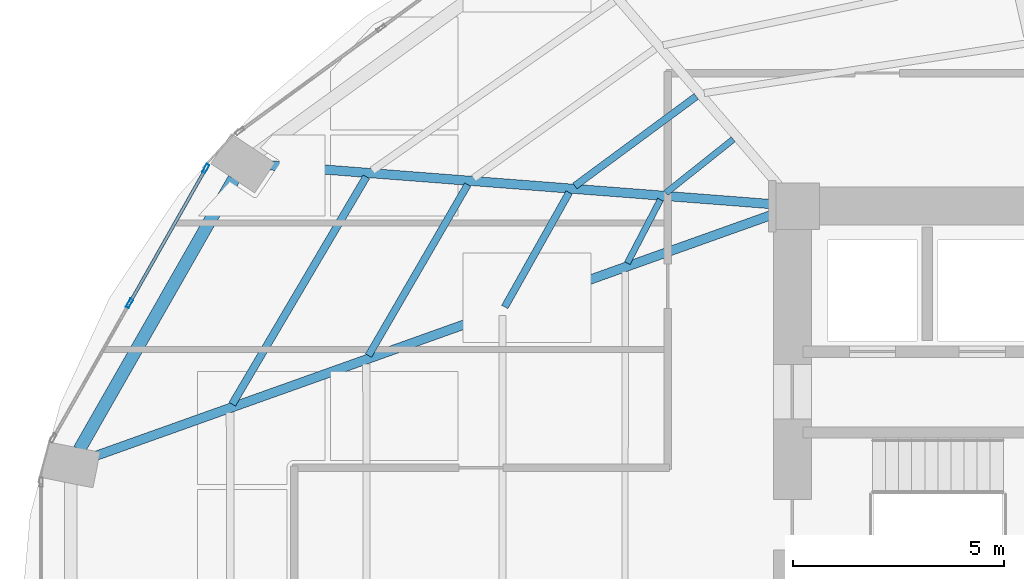
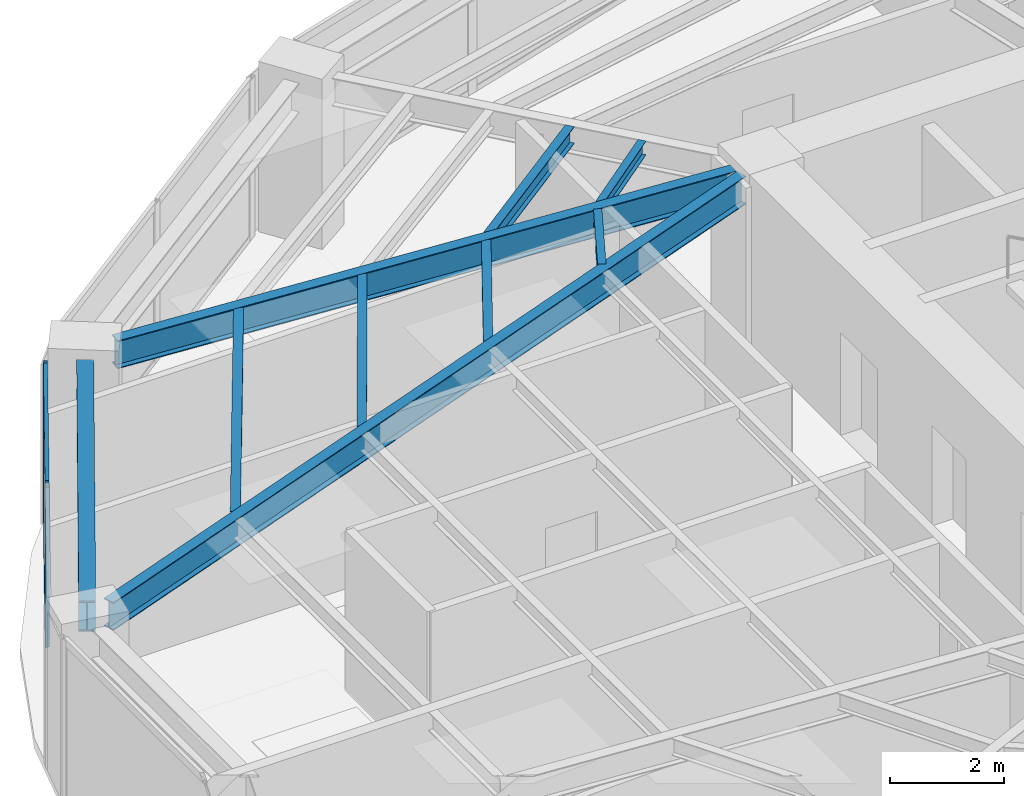
# One storey, part 9 of 25: 9 beams, 4 members, 1 element without a shape of its own.
"""IFC4 building model written with IfcOpenShell, lengths in metres."""

import ifcopenshell
import ifcopenshell.guid

model = None  # the IFC model being written
_history = None  # IfcOwnerHistory: only IFC2X3 demands one
_inside = {}  # id of a spatial element -> (the spatial element, [elements in it])
_under = {}  # id of a project, library or spatial element -> (it, [spatial elements below it])
_declared = {}  # id of a project -> (the project, [libraries it declares])
_typed = {}  # id of a type object -> (the type object, [elements of that type])
_made_of = {}  # id of a material, layer set ... -> (it, [elements and type objects made of it])


def new_model(schema):
    """Start an empty IFC model of exactly this schema.

    Asked for "IFC4X3", IfcOpenShell would pick the latest addendum, in which some entities
    have other attributes; the version numbers below select the first issue.
    IFC2X3 requires an IfcOwnerHistory on every rooted entity: one is made here for all.
    """
    global model, _history
    if schema == "IFC4X3":
        model = ifcopenshell.file(schema_version=(4, 3, 0, 0))
    else:
        model = ifcopenshell.file(schema=schema)
    _inside.clear()
    _under.clear()
    _declared.clear()
    _typed.clear()
    _made_of.clear()
    _history = None
    if model.schema == "IFC2X3":
        org = make("IfcOrganization", Name="unknown")
        user = make(
            "IfcPersonAndOrganization",
            ThePerson=make("IfcPerson", FamilyName="unknown"),
            TheOrganization=org,
        )
        app = make(
            "IfcApplication",
            ApplicationDeveloper=org,
            Version="unknown",
            ApplicationFullName="unknown",
            ApplicationIdentifier="unknown",
        )
        _history = make(
            "IfcOwnerHistory",
            OwningUser=user,
            OwningApplication=app,
            ChangeAction="ADDED",
            CreationDate=0,
        )
    return model


def make(cls, **values):
    """One entity of the class cls with the attributes given. An attribute that is None is left unset."""
    return model.create_entity(
        cls, **{name: value for name, value in values.items() if value is not None}
    )


def rooted(cls, **values):
    """An entity with a GlobalId (a new one), such as an element, a storey or a relation."""
    return make(cls, GlobalId=ifcopenshell.guid.new(), OwnerHistory=_history, **values)


def si_unit(unit_type, name, prefix=None):
    """IfcSIUnit, for example si_unit("LENGTHUNIT", "METRE", prefix="MILLI")."""
    return make("IfcSIUnit", UnitType=unit_type, Prefix=prefix, Name=name)


def assignment(units):
    """IfcUnitAssignment: the units of a project."""
    return None if units is None else make("IfcUnitAssignment", Units=units)


def point(xyz):
    """IfcCartesianPoint."""
    return None if xyz is None else make("IfcCartesianPoint", Coordinates=xyz)


def direction(xyz):
    """IfcDirection."""
    return None if xyz is None else make("IfcDirection", DirectionRatios=xyz)


def frame(location, z_axis=None, x_axis=None):
    """IfcAxis2Placement3D, a coordinate frame: its origin and axes. An axis left out is left unset."""
    return make(
        "IfcAxis2Placement3D",
        Location=point(location),
        Axis=direction(z_axis),
        RefDirection=direction(x_axis),
    )


def frame_2d(location, x_axis=None):
    """IfcAxis2Placement2D, a coordinate frame in the plane: its origin and x axis."""
    return make(
        "IfcAxis2Placement2D", Location=point(location), RefDirection=direction(x_axis)
    )


def origin():
    """The frame at (0, 0, 0) with its axes left unset."""
    return frame((0.0, 0.0, 0.0))


def origin_2d():
    """The frame at (0, 0) in the plane with its x axis left unset."""
    return frame_2d((0.0, 0.0))


def place(relative_to, where):
    """IfcLocalPlacement: puts the frame where relative to a parent placement (None: the world)."""
    return make(
        "IfcLocalPlacement", PlacementRelTo=relative_to, RelativePlacement=where
    )


def context(
    kind, dimensions, precision=None, world=None, true_north=None, identifier=None
):
    """IfcGeometricRepresentationContext, for example the 3D "Model" context."""
    return make(
        "IfcGeometricRepresentationContext",
        ContextIdentifier=identifier,
        ContextType=kind,
        CoordinateSpaceDimension=dimensions,
        Precision=precision,
        WorldCoordinateSystem=world,
        TrueNorth=true_north,
    )


def subcontext(parent, identifier, kind, view, scale=None):
    """IfcGeometricRepresentationSubContext, for example "Body" below "Model"."""
    return make(
        "IfcGeometricRepresentationSubContext",
        ContextIdentifier=identifier,
        ContextType=kind,
        ParentContext=parent,
        TargetScale=scale,
        TargetView=view,
    )


def project(units=None, contexts=None):
    """IfcProject with its units and contexts."""
    return rooted(
        "IfcProject",
        Name="project",
        RepresentationContexts=contexts,
        UnitsInContext=assignment(units),
    )


def spatial(cls, under=None, at=None, **own):
    """A site, building, storey or space (cls), placed at a placement, below another one or the project."""
    s = rooted(cls, ObjectPlacement=at, **own)
    if under is not None:
        _under.setdefault(under.id(), (under, []))[1].append(s)
    return s


def profile(cls, at=None, kind="AREA", **sizes):
    """A parametric profile (cls). Its sizes go by their IFC names, for example OverallWidth=200.0."""
    return make(cls, ProfileType=kind, Position=at, **sizes)


def hollow_rectangle(**sizes):
    """IfcRectangleHollowProfileDef."""
    return profile("IfcRectangleHollowProfileDef", **sizes)


def i_section(**sizes):
    """IfcIShapeProfileDef."""
    return profile("IfcIShapeProfileDef", **sizes)


def extrude(swept, where, along, depth):
    """IfcExtrudedAreaSolid: the profile swept, set in the frame where, extruded along a direction by depth."""
    return make(
        "IfcExtrudedAreaSolid",
        SweptArea=swept,
        Position=where,
        ExtrudedDirection=direction(along),
        Depth=depth,
    )


def shape(context_of_items, identifier, shape_type, items):
    """IfcShapeRepresentation: the items that make up one representation, for example the "Body"."""
    return make(
        "IfcShapeRepresentation",
        ContextOfItems=context_of_items,
        RepresentationIdentifier=identifier,
        RepresentationType=shape_type,
        Items=items,
    )


def material(Name=None, Category=None):
    """IfcMaterial."""
    return make("IfcMaterial", Name=Name, Category=Category)


def layer(
    of_material, thickness, ventilated=None, Name=None, Category=None, Priority=None
):
    """IfcMaterialLayer: one layer of a wall or slab, of a material (None: an air gap)."""
    return make(
        "IfcMaterialLayer",
        Material=of_material,
        LayerThickness=thickness,
        IsVentilated=ventilated,
        Name=Name,
        Category=Category,
        Priority=Priority,
    )


def layer_set(layers, Name=None):
    """IfcMaterialLayerSet."""
    return make("IfcMaterialLayerSet", MaterialLayers=layers, LayerSetName=Name)


def material_profile(
    of_material, cross_section, Name=None, Category=None, Priority=None
):
    """IfcMaterialProfile: a cross section and its material."""
    return make(
        "IfcMaterialProfile",
        Name=Name,
        Material=of_material,
        Profile=cross_section,
        Priority=Priority,
        Category=Category,
    )


def profile_set(profiles, Name=None, composite=None):
    """IfcMaterialProfileSet."""
    return make(
        "IfcMaterialProfileSet",
        Name=Name,
        MaterialProfiles=profiles,
        CompositeProfile=composite,
    )


def made_of(thing, what):
    """Note that an element or type object is made of a material, layer set ...; save() writes the relation."""
    if what is not None:
        _made_of.setdefault(what.id(), (what, []))[1].append(thing)
    return thing


def type_object(cls, material=None, **own):
    """A type object (cls), such as IfcWallType, which elements share."""
    return made_of(rooted(cls, **own), material)


def element(
    cls,
    number,
    at=None,
    inside=None,
    cuts=None,
    type_object=None,
    material=None,
    context=None,
    identifier="Body",
    shape_type=None,
    held_by="IfcProductDefinitionShape",
    body=None,
    shapes=None,
    **own,
):
    """One element of the class cls, such as IfcWall. Its Tag is "e" and its number.

    at: its placement. inside: the storey or other place that contains it. cuts: it is an
    opening in that element (IfcRelVoidsElement). A single representation is given by context,
    identifier, shape_type and body (its items); several are given by shapes. held_by: the class
    of the entity that holds the representations. save() writes the other relations.
    """
    e = rooted(cls, Tag="e%d" % number, ObjectPlacement=at, **own)
    if body is not None:
        shapes = [shape(context, identifier, shape_type, body)]
    if shapes is not None:
        e.Representation = make(held_by, Representations=shapes)
    if inside is not None:
        _inside.setdefault(inside.id(), (inside, []))[1].append(e)
    if cuts is not None:
        rooted(
            "IfcRelVoidsElement", RelatingBuildingElement=cuts, RelatedOpeningElement=e
        )
    if type_object is not None:
        _typed.setdefault(type_object.id(), (type_object, []))[1].append(e)
    return made_of(e, material)


def aggregate(whole, parts):
    """IfcRelAggregates: a whole, such as a stair, and the parts it consists of."""
    return rooted("IfcRelAggregates", RelatingObject=whole, RelatedObjects=parts)


def save(model, path):
    """Write the relations noted so far, then the file.

    IfcRelAggregates (storeys below a building ...), IfcRelContainedInSpatialStructure (elements
    in a storey), IfcRelDefinesByType, IfcRelAssociatesMaterial and IfcRelDeclares: one each for
    every whole, place, type object, material and project.
    """
    for whole, parts in _under.values():
        aggregate(whole, parts)
    for where, things in _inside.values():
        rooted(
            "IfcRelContainedInSpatialStructure",
            RelatedElements=things,
            RelatingStructure=where,
        )
    for kind, things in _typed.values():
        rooted("IfcRelDefinesByType", RelatedObjects=things, RelatingType=kind)
    for what, things in _made_of.values():
        rooted("IfcRelAssociatesMaterial", RelatedObjects=things, RelatingMaterial=what)
    for by, libraries in _declared.values():
        rooted("IfcRelDeclares", RelatingContext=by, RelatedDefinitions=libraries)
    model.write(path)


model = new_model("IFC4")

# Units and contexts
model_context = context("Model", 3, precision=1e-05, world=origin(), true_north=direction((0.0, 1.0)))
body_context = subcontext(model_context, "Body", "Model", "MODEL_VIEW")
ifc_project = project(units=[si_unit("LENGTHUNIT", "METRE"), si_unit("AREAUNIT", "SQUARE_METRE"), si_unit("VOLUMEUNIT", "CUBIC_METRE"), si_unit("PLANEANGLEUNIT", "RADIAN"), si_unit("MASSUNIT", "GRAM", prefix="KILO")], contexts=[model_context])

# Site, building, storey
site_placement = place(None, origin())
site = spatial("IfcSite", under=ifc_project, at=site_placement, CompositionType="ELEMENT")
building_placement = place(site_placement, origin())
building = spatial("IfcBuilding", under=site, at=building_placement, Name="Lazwardi Medical Tower", CompositionType="ELEMENT")
storey_placement = place(building_placement, frame((0.0, 0.0, 43.43994140625)))
storey = spatial("IfcBuildingStorey", under=building, at=storey_placement, Name="L10", CompositionType="ELEMENT", Elevation=43.43994140625)

# Beams
ifc_material_1 = material(Name="Steel S355", Category="steel")
ifc_material_profile_1 = material_profile(ifc_material_1, i_section(OverallWidth=0.300048828125, OverallDepth=0.64990234375, WebThickness=0.01611328125, FlangeThickness=0.031005859375, at=origin_2d()), Name="HEB 650")
ifc_profile_set_1 = profile_set([ifc_material_profile_1], Name="Steel S355")
beam_type_1 = type_object("IfcBeamType", Name="BM-RB-Z1", PredefinedType="BEAM", material=ifc_profile_set_1)
beam_1_placement = place(storey_placement, frame((13.072021484375, 36.24951171875, 3.10302734375), z_axis=(-0.495829348644, -0.868419977328, 0.0), x_axis=(0.868419977328, -0.495829348644, 0.0)))
element("IfcBeam", 1, at=beam_1_placement, inside=storey, type_object=beam_type_1, Name="Ring beam RB-02 B11 L10", PredefinedType="BEAM", context=body_context, shape_type="SweptSolid", body=[
    extrude(i_section(OverallWidth=0.300048828125, OverallDepth=0.64990234375, WebThickness=0.01611328125, FlangeThickness=0.031005859375, at=origin_2d()), origin(), (0.0, 0.0, 1.0), 7.38916015625),
])
ifc_material_profile_2 = material_profile(ifc_material_1, i_section(OverallWidth=0.219970703125, OverallDepth=0.60009765625, WebThickness=0.011962890625, FlangeThickness=0.01904296875, at=origin_2d()), Name="IPE 600")
ifc_profile_set_2 = profile_set([ifc_material_profile_2], Name="Steel S355")
beam_type_2 = type_object("IfcBeamType", Name="BM-RG-W1", PredefinedType="BEAM", material=ifc_profile_set_2)
beam_2_placement = place(storey_placement, frame((13.8583984375, 36.569580078125, 3.128173828125), z_axis=(0.997024241118, -0.077088667283, 0.0), x_axis=(0.077088667283, 0.997024241118, 0.0)))
element("IfcBeam", 2, at=beam_2_placement, inside=storey, type_object=beam_type_2, Name="Radial girder RG-02 R11 L10", PredefinedType="BEAM", context=body_context, shape_type="SweptSolid", body=[
    extrude(i_section(OverallWidth=0.219970703125, OverallDepth=0.60009765625, WebThickness=0.011962890625, FlangeThickness=0.01904296875, at=origin_2d()), origin(), (0.0, 0.0, 1.0), 12.044189453125),
])
beam_3_placement = place(storey_placement, frame((9.746337890625, 29.66259765625, 3.128173828125), z_axis=(0.941925080425, 0.335823082688, 0.0), x_axis=(-0.335823082688, 0.941925080425, 0.0)))
element("IfcBeam", 3, at=beam_3_placement, inside=storey, type_object=beam_type_2, Name="Radial girder RG-02 R12 L10", PredefinedType="BEAM", context=body_context, shape_type="SweptSolid", body=[
    extrude(i_section(OverallWidth=0.219970703125, OverallDepth=0.60009765625, WebThickness=0.011962890625, FlangeThickness=0.01904296875, at=origin_2d()), origin(), (0.0, 0.0, 1.0), 17.145263671875),
])
ifc_material_profile_3 = material_profile(ifc_material_1, i_section(OverallWidth=0.179931640625, OverallDepth=0.39990234375, WebThickness=0.008544921875, FlangeThickness=0.013427734375, at=origin_2d()), Name="IPE 400")
ifc_profile_set_3 = profile_set([ifc_material_profile_3], Name="Steel S355")
beam_type_3 = type_object("IfcBeamType", Name="BM-SJ-01", PredefinedType="JOIST", material=ifc_profile_set_3)
beam_4_placement = place(storey_placement, frame((16.206787109375, 36.29345703125, 3.22802734375), z_axis=(-0.507886270937, -0.861424132349, 0.0), x_axis=(0.861424132349, -0.507886270937, 0.0)))
element("IfcBeam", 4, at=beam_4_placement, inside=storey, type_object=beam_type_3, Name="Secondary joist SJ-01 R1 B11 L10", PredefinedType="JOIST", context=body_context, shape_type="SweptSolid", body=[
    extrude(i_section(OverallWidth=0.179931640625, OverallDepth=0.39990234375, WebThickness=0.008544921875, FlangeThickness=0.013427734375, at=origin_2d()), origin(), (0.0, 0.0, 1.0), 6.255859375),
])
ifc_material_profile_4 = material_profile(ifc_material_1, i_section(OverallWidth=0.169921875, OverallDepth=0.360107421875, WebThickness=0.008056640625, FlangeThickness=0.0126953125, at=origin_2d()), Name="IPE 360")
ifc_profile_set_4 = profile_set([ifc_material_profile_4], Name="Steel S355")
beam_type_4 = type_object("IfcBeamType", Name="BM-SJ-02", PredefinedType="JOIST", material=ifc_profile_set_4)
beam_5_placement = place(storey_placement, frame((18.60888671875, 36.107421875, 3.248046875), z_axis=(-0.501798442848, -0.86498457949, 0.0), x_axis=(0.86498457949, -0.501798442848, 0.0)))
element("IfcBeam", 5, at=beam_5_placement, inside=storey, type_object=beam_type_4, Name="Secondary joist SJ-02 R2 B11 L10", PredefinedType="JOIST", context=body_context, shape_type="SweptSolid", body=[
    extrude(i_section(OverallWidth=0.169921875, OverallDepth=0.360107421875, WebThickness=0.008056640625, FlangeThickness=0.0126953125, at=origin_2d()), origin(), (0.0, 0.0, 1.0), 4.683349609375),
])
beam_6_placement = place(storey_placement, frame((24.025146484375, 38.19873046875, 3.248046875), z_axis=(-0.804580292353, -0.593843879448, 0.0), x_axis=(0.593843879448, -0.804580292353, 0.0)))
element("IfcBeam", 6, at=beam_6_placement, inside=storey, type_object=beam_type_4, Name="Secondary joist SJ-02 R3 B10 L10", PredefinedType="JOIST", context=body_context, shape_type="SweptSolid", body=[
    extrude(i_section(OverallWidth=0.169921875, OverallDepth=0.360107421875, WebThickness=0.008056640625, FlangeThickness=0.0126953125, at=origin_2d()), origin(), (0.0, 0.0, 1.0), 3.576416015625),
])
beam_7_placement = place(storey_placement, frame((21.011962890625, 35.9208984375, 3.248046875), z_axis=(-0.489974339037, -0.87173685656, 0.0), x_axis=(0.87173685656, -0.489974339037, 0.0)))
element("IfcBeam", 7, at=beam_7_placement, inside=storey, type_object=beam_type_4, Name="Secondary joist SJ-02 R3 B11 L10", PredefinedType="JOIST", context=body_context, shape_type="SweptSolid", body=[
    extrude(i_section(OverallWidth=0.169921875, OverallDepth=0.360107421875, WebThickness=0.008056640625, FlangeThickness=0.0126953125, at=origin_2d()), origin(), (0.0, 0.0, 1.0), 3.111328125),
])
ifc_material_profile_5 = material_profile(ifc_material_1, i_section(OverallWidth=0.14990234375, OverallDepth=0.300048828125, WebThickness=0.007080078125, FlangeThickness=0.0107421875, at=origin_2d()), Name="IPE 300")
ifc_profile_set_5 = profile_set([ifc_material_profile_5], Name="Steel S355")
beam_type_5 = type_object("IfcBeamType", Name="BM-SJ-03", PredefinedType="JOIST", material=ifc_profile_set_5)
beam_8_placement = place(storey_placement, frame((24.901123046875, 37.1806640625, 3.278076171875), z_axis=(-0.782210957226, -0.623013658274, 0.0), x_axis=(0.623013658274, -0.782210957226, 0.0)))
element("IfcBeam", 8, at=beam_8_placement, inside=storey, type_object=beam_type_5, Name="Secondary joist SJ-03 R4 B10 L10", PredefinedType="JOIST", context=body_context, shape_type="SweptSolid", body=[
    extrude(i_section(OverallWidth=0.14990234375, OverallDepth=0.300048828125, WebThickness=0.007080078125, FlangeThickness=0.0107421875, at=origin_2d()), origin(), (0.0, 0.0, 1.0), 2.0380859375),
])
beam_9_placement = place(storey_placement, frame((23.17626953125, 35.752197265625, 3.278076171875), z_axis=(-0.462162985948, -0.88679500135, 0.0), x_axis=(0.88679500135, -0.462162985948, 0.0)))
element("IfcBeam", 9, at=beam_9_placement, inside=storey, type_object=beam_type_5, Name="Secondary joist SJ-03 R4 B11 L10", PredefinedType="JOIST", context=body_context, shape_type="SweptSolid", body=[
    extrude(i_section(OverallWidth=0.14990234375, OverallDepth=0.300048828125, WebThickness=0.007080078125, FlangeThickness=0.0107421875, at=origin_2d()), origin(), (0.0, 0.0, 1.0), 1.69775390625),
])

# Curtain wall, members
ifc_material_2 = material(Name="Anodised bronze aluminium and solar control glazing", Category="aluminium")
ifc_layer = layer(ifc_material_2, 0.199951171875)
ifc_layer_set = layer_set([ifc_layer], Name="Anodised bronze aluminium and solar control glazing")
curtain_wall_type = type_object("IfcCurtainWallType", Name="CW-SYS-02", PredefinedType="NOTDEFINED", material=ifc_layer_set)
curtain_wall_placement = place(storey_placement, origin())
curtain_wall = element("IfcCurtainWall", 10, at=curtain_wall_placement, inside=storey, type_object=curtain_wall_type, Name="L10 Unitised bronze curtain wall CW-02", PredefinedType="NOTDEFINED")
ifc_material_3 = material(Name="Anodised bronze aluminium", Category="aluminium")
ifc_material_profile_6 = material_profile(ifc_material_3, hollow_rectangle(XDim=0.074951171875, YDim=0.219970703125, WallThickness=0.00390625, at=origin_2d()), Name="ALU-MULLION 220x75x4")
ifc_profile_set_6 = profile_set([ifc_material_profile_6], Name="Anodised bronze aluminium")
member_type_1 = type_object("IfcMemberType", Name="CW-MUL-01", PredefinedType="MULLION", material=ifc_profile_set_6)
member_1_placement = place(storey_placement, frame((12.4033203125, 36.488525390625, 0.0), z_axis=(0.0, 0.0, 1.0), x_axis=(0.870111838823, -0.492854327303, 0.0)))
member_1 = element("IfcMember", 11, at=member_1_placement, type_object=member_type_1, Name="CW-02 mullion 1", PredefinedType="MULLION", context=body_context, shape_type="SweptSolid", body=[
    extrude(hollow_rectangle(XDim=0.074951171875, YDim=0.219970703125, WallThickness=0.00390625, at=origin_2d()), origin(), (0.0, 0.0, 1.0), 3.427978515625),
])
member_2_placement = place(storey_placement, frame((10.5947265625, 33.29541015625, 0.0), z_axis=(0.0, 0.0, 1.0), x_axis=(0.870111838823, -0.492854327303, 0.0)))
member_2 = element("IfcMember", 12, at=member_2_placement, type_object=member_type_1, Name="CW-02 mullion 2", PredefinedType="MULLION", context=body_context, shape_type="SweptSolid", body=[
    extrude(hollow_rectangle(XDim=0.074951171875, YDim=0.219970703125, WallThickness=0.00390625, at=origin_2d()), origin(), (0.0, 0.0, 1.0), 3.427978515625),
])
ifc_material_profile_7 = material_profile(ifc_material_3, hollow_rectangle(XDim=0.074951171875, YDim=0.159912109375, WallThickness=0.00390625, at=origin_2d()), Name="ALU-TRANSOM 160x75x4")
ifc_profile_set_7 = profile_set([ifc_material_profile_7], Name="Anodised bronze aluminium")
member_type_2 = type_object("IfcMemberType", Name="CW-TRN-01", PredefinedType="USERDEFINED", material=ifc_profile_set_7)
member_3_placement = place(storey_placement, frame((12.384765625, 36.4560546875, 0.03759765625), z_axis=(-0.49285148925, -0.870113446365, 0.0), x_axis=(0.870113446365, -0.49285148925, 0.0)))
member_3 = element("IfcMember", 13, at=member_3_placement, type_object=member_type_2, Name="CW-02 transom 1.1", ObjectType="TRANSOM", PredefinedType="USERDEFINED", context=body_context, shape_type="SweptSolid", body=[
    extrude(hollow_rectangle(XDim=0.074951171875, YDim=0.159912109375, WallThickness=0.00390625, at=origin_2d()), origin(), (0.0, 0.0, 1.0), 3.594970703125),
])
member_4_placement = place(storey_placement, frame((12.384765625, 36.4560546875, 3.390625), z_axis=(-0.49285148925, -0.870113446365, 0.0), x_axis=(0.870113446365, -0.49285148925, 0.0)))
member_4 = element("IfcMember", 14, at=member_4_placement, type_object=member_type_2, Name="CW-02 transom 1.2", ObjectType="TRANSOM", PredefinedType="USERDEFINED", context=body_context, shape_type="SweptSolid", body=[
    extrude(hollow_rectangle(XDim=0.074951171875, YDim=0.159912109375, WallThickness=0.00390625, at=origin_2d()), origin(), (0.0, 0.0, 1.0), 3.594970703125),
])
aggregate(curtain_wall, [member_1, member_2, member_3, member_4])

save(model, "model.ifc")
